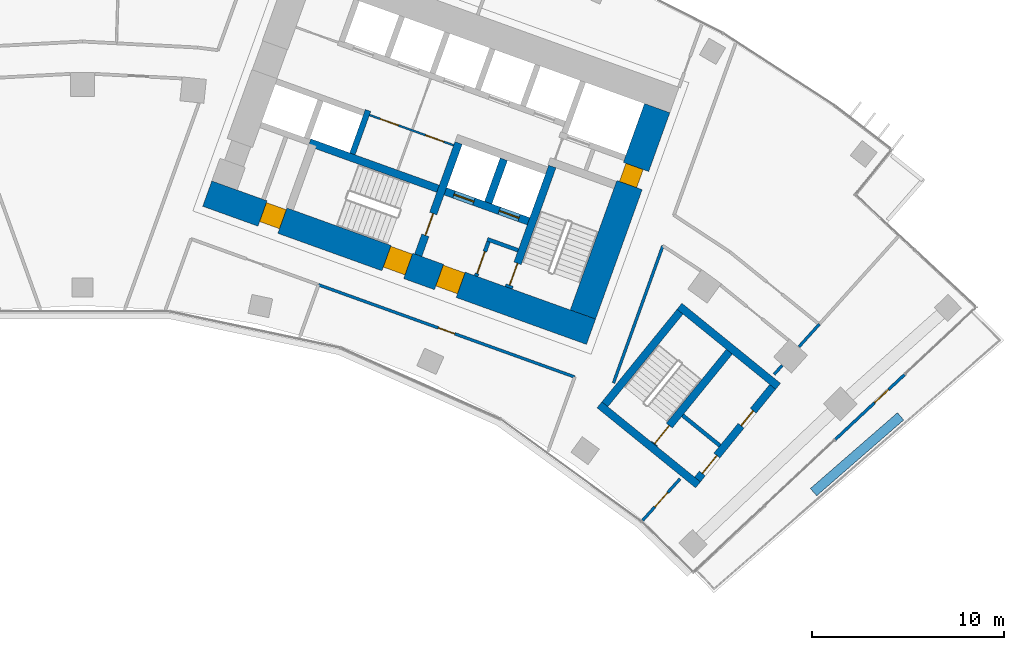
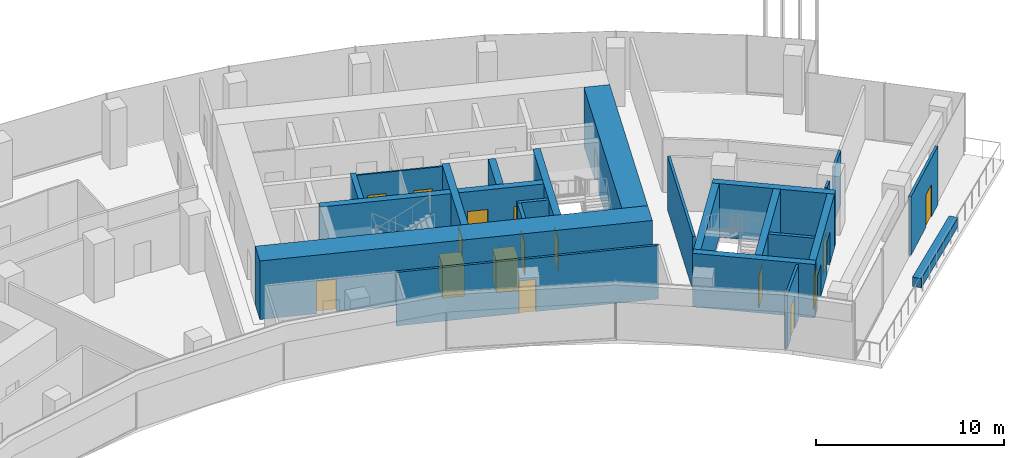
# One storey, part 16 of 20: 23 walls, 17 doors, 17 openings.
"""IFC4 building model written with IfcOpenShell, lengths in metres."""

from ifc_helpers import new_model, si_unit, direction, frame, frame_2d, origin, origin_2d, place, context, subcontext, project, spatial, rectangle, extrude, material, layer, layer_set, type_object, element, fill, save


model = new_model("IFC4")

# Units and contexts
model_context = context("Model", 3, precision=1e-05, world=origin(), true_north=direction((0.0, 1.0)))
body_context = subcontext(model_context, "Body", "Model", "MODEL_VIEW")
ifc_project = project(units=[si_unit("LENGTHUNIT", "METRE"), si_unit("AREAUNIT", "SQUARE_METRE"), si_unit("VOLUMEUNIT", "CUBIC_METRE"), si_unit("PLANEANGLEUNIT", "RADIAN"), si_unit("MASSUNIT", "GRAM", prefix="KILO")], contexts=[model_context])

# Site, building, storey
site_placement = place(None, origin())
site = spatial("IfcSite", under=ifc_project, at=site_placement, CompositionType="ELEMENT")
building_placement = place(site_placement, origin())
building = spatial("IfcBuilding", under=site, at=building_placement, Name="Stone Belt Terrace Tower", CompositionType="ELEMENT")
storey_placement = place(building_placement, frame((0.0, 0.0, 182.0)))
storey = spatial("IfcBuildingStorey", under=building, at=storey_placement, Name="L44", CompositionType="ELEMENT", Elevation=182.0)

# Wall, opening, door
ifc_material_1 = material(Name="Terracotta coloured glazed ceramic", Category="masonry")
ifc_layer_1 = layer(ifc_material_1, 0.14990234375)
ifc_layer_set_1 = layer_set([ifc_layer_1], Name="Ceramic rain-screen wall 150")
wall_type_1 = type_object("IfcWallType", Name="Ceramic rain-screen wall 150", PredefinedType="SOLIDWALL", material=ifc_layer_set_1)
wall_1_placement = place(storey_placement, frame((39.123046875, 36.53564453125, 0.0), z_axis=(0.0, 0.0, 1.0), x_axis=(0.729905447424, 0.683548123998, 0.0)))
wall_1 = element("IfcWall", 1, at=wall_1_placement, inside=storey, type_object=wall_type_1, Name="Door wall L44", PredefinedType="SOLIDWALL", context=body_context, shape_type="SweptSolid", body=[
    extrude(rectangle(XDim=4.93994140625, YDim=0.14990234375, at=frame_2d((2.469970703125, 0.0))), origin(), (0.0, 0.0, 1.0), 3.800048828125),
])
opening_1_placement = place(wall_1_placement, frame((2.800048828125, 0.0, 0.0)))
opening_1 = element("IfcOpeningElement", 2, at=opening_1_placement, cuts=wall_1, Name="Opening L44-E01", PredefinedType="OPENING", context=body_context, shape_type="SweptSolid", body=[
    extrude(rectangle(XDim=1.0, YDim=2.10009765625, at=frame_2d((0.5, 1.050048828125))), frame((0.0, 0.0849609375, 0.0), z_axis=(0.0, -1.0, 0.0), x_axis=(1.0, 0.0, 0.0)), (0.0, 0.0, 1.0), 0.169921875),
])
ifc_material_2 = material(Name="Anodised aluminium glazed door", Category="aluminium")
door_type_1 = type_object("IfcDoorType", Name="Terrace door 1000 x 2100", OperationType="NOTDEFINED", PredefinedType="DOOR", material=ifc_material_2)
door_1_placement = place(opening_1_placement, origin())
door_1 = element("IfcDoor", 3, at=door_1_placement, inside=storey, type_object=door_type_1, Name="Terrace door L44", OperationType="SINGLE_SWING_RIGHT", OverallHeight=2.10009765625, OverallWidth=1.0, PredefinedType="DOOR", context=body_context, shape_type="SweptSolid", body=[
    extrude(rectangle(XDim=1.0, YDim=2.10009765625, at=frame_2d((0.5, 1.050048828125))), frame((0.0, 0.02490234375, 0.0), z_axis=(0.0, -1.0, 0.0), x_axis=(1.0, 0.0, 0.0)), (0.0, 0.0, 1.0), 0.050048828125),
])
fill(opening_1, door_1)

# Wall, openings, doors
ifc_material_3 = material(Name="Plasterboard partition")
ifc_layer_2 = layer(ifc_material_3, 0.10009765625)
ifc_layer_set_2 = layer_set([ifc_layer_2], Name="Core partition 100")
wall_type_2 = type_object("IfcWallType", Name="Core partition 100", PredefinedType="PARTITIONING", material=ifc_layer_set_2)
wall_2_placement = place(storey_placement, frame((19.29052734375, 51.829833984375, 0.0), z_axis=(0.0, 0.0, 1.0), x_axis=(-0.940930240745, 0.338600475563, 0.0)))
wall_2 = element("IfcWall", 4, at=wall_2_placement, inside=storey, type_object=wall_type_2, Name="Core B wall", PredefinedType="PARTITIONING", context=body_context, shape_type="SweptSolid", body=[
    extrude(rectangle(XDim=4.64990234375, YDim=0.10009765625, at=frame_2d((2.324951171875, 0.0))), origin(), (0.0, 0.0, 1.0), 3.47998046875),
])
opening_2_placement = place(wall_2_placement, frame((0.550048828125, 0.0, 0.0)))
opening_2 = element("IfcOpeningElement", 5, at=opening_2_placement, cuts=wall_2, Name="Opening L44-C16", PredefinedType="OPENING", context=body_context, shape_type="SweptSolid", body=[
    extrude(rectangle(XDim=1.0, YDim=2.10009765625, at=frame_2d((0.5, 1.050048828125))), frame((0.0, 0.06005859375, 0.0), z_axis=(0.0, -1.0, 0.0), x_axis=(1.0, 0.0, 0.0)), (0.0, 0.0, 1.0), 0.1201171875),
])
opening_3_placement = place(wall_2_placement, frame((3.050048828125, 0.0, 0.0)))
opening_3 = element("IfcOpeningElement", 6, at=opening_3_placement, cuts=wall_2, Name="Opening L44-C17", PredefinedType="OPENING", context=body_context, shape_type="SweptSolid", body=[
    extrude(rectangle(XDim=1.0, YDim=2.10009765625, at=frame_2d((0.5, 1.050048828125))), frame((0.0, 0.06005859375, 0.0), z_axis=(0.0, -1.0, 0.0), x_axis=(1.0, 0.0, 0.0)), (0.0, 0.0, 1.0), 0.1201171875),
])
ifc_material_4 = material(Name="Timber door leaf", Category="wood")
door_type_2 = type_object("IfcDoorType", Name="Core room door 1000", OperationType="SINGLE_SWING_LEFT", PredefinedType="DOOR", material=ifc_material_4)
door_2_placement = place(opening_2_placement, origin())
door_2 = element("IfcDoor", 7, at=door_2_placement, inside=storey, type_object=door_type_2, Name="Door to Staff pantry core B", OperationType="SINGLE_SWING_RIGHT", OverallHeight=2.10009765625, OverallWidth=1.0, PredefinedType="DOOR", context=body_context, shape_type="SweptSolid", body=[
    extrude(rectangle(XDim=1.0, YDim=2.10009765625, at=frame_2d((0.5, 1.050048828125))), frame((0.0, 0.02490234375, 0.0), z_axis=(0.0, -1.0, 0.0), x_axis=(1.0, 0.0, 0.0)), (0.0, 0.0, 1.0), 0.050048828125),
])
fill(opening_2, door_2)
door_3_placement = place(opening_3_placement, origin())
door_3 = element("IfcDoor", 8, at=door_3_placement, inside=storey, type_object=door_type_2, Name="Door to Telecommunications room core B", OperationType="SINGLE_SWING_LEFT", OverallHeight=2.10009765625, OverallWidth=1.0, PredefinedType="DOOR", context=body_context, shape_type="SweptSolid", body=[
    extrude(rectangle(XDim=1.0, YDim=2.10009765625, at=frame_2d((0.5, 1.050048828125))), frame((0.0, 0.02490234375, 0.0), z_axis=(0.0, -1.0, 0.0), x_axis=(1.0, 0.0, 0.0)), (0.0, 0.0, 1.0), 0.050048828125),
])
fill(opening_3, door_3)

ifc_material_5 = material(Name="Concrete B80", Category="concrete")
ifc_layer_3 = layer(ifc_material_5, 1.39990234375)
ifc_layer_set_3 = layer_set([ifc_layer_3], Name="Core wall 1400 B80")
wall_type_3 = type_object("IfcWallType", Name="Core wall 1400 B80", PredefinedType="SHEAR", material=ifc_layer_set_3)
wall_3_placement = place(storey_placement, frame((6.4833984375, 49.318115234375, 0.0), z_axis=(0.0, 0.0, 1.0), x_axis=(0.940923374003, -0.33861955681, 0.0)))
wall_3 = element("IfcWall", 9, at=wall_3_placement, inside=storey, type_object=wall_type_3, Name="Core B wall concave L44", PredefinedType="SHEAR", context=body_context, shape_type="SweptSolid", body=[
    extrude(rectangle(XDim=21.199951171875, YDim=1.39990234375, at=frame_2d((10.60009765625, 0.0))), origin(), (0.0, 0.0, 1.0), 3.800048828125),
])
opening_4_placement = place(wall_3_placement, frame((12.800048828125, 0.0, 0.0)))
opening_4 = element("IfcOpeningElement", 10, at=opening_4_placement, cuts=wall_3, Name="Opening L44-C24", PredefinedType="OPENING", context=body_context, shape_type="SweptSolid", body=[
    extrude(rectangle(XDim=1.199951171875, YDim=2.10009765625, at=frame_2d((0.60009765625, 1.050048828125))), frame((0.0, 0.7099609375, 0.0), z_axis=(0.0, -1.0, 0.0), x_axis=(1.0, 0.0, 0.0)), (0.0, 0.0, 1.0), 1.419921875),
])
opening_5_placement = place(wall_3_placement, frame((9.89990234375, 0.0, 0.0)))
opening_5 = element("IfcOpeningElement", 11, at=opening_5_placement, cuts=wall_3, Name="Opening L44-C26", PredefinedType="OPENING", context=body_context, shape_type="SweptSolid", body=[
    extrude(rectangle(XDim=1.199951171875, YDim=2.10009765625, at=frame_2d((0.60009765625, 1.050048828125))), frame((0.0, 0.7099609375, 0.0), z_axis=(0.0, -1.0, 0.0), x_axis=(1.0, 0.0, 0.0)), (0.0, 0.0, 1.0), 1.419921875),
])
opening_6_placement = place(wall_3_placement, frame((3.050048828125, 0.0, 0.0)))
opening_6 = element("IfcOpeningElement", 12, at=opening_6_placement, cuts=wall_3, Name="Opening L44-C28", PredefinedType="OPENING", context=body_context, shape_type="SweptSolid", body=[
    extrude(rectangle(XDim=1.10009765625, YDim=2.10009765625, at=frame_2d((0.550048828125, 1.050048828125))), frame((0.0, 0.7099609375, 0.0), z_axis=(0.0, -1.0, 0.0), x_axis=(1.0, 0.0, 0.0)), (0.0, 0.0, 1.0), 1.419921875),
])
door_type_3 = type_object("IfcDoorType", Name="Core room door 1100", OperationType="SINGLE_SWING_LEFT", PredefinedType="DOOR", material=ifc_material_4)
door_4_placement = place(opening_6_placement, origin())
door_4 = element("IfcDoor", 13, at=door_4_placement, inside=storey, type_object=door_type_3, Name="Door to Communications riser room core B", OperationType="SINGLE_SWING_RIGHT", OverallHeight=2.10009765625, OverallWidth=1.10009765625, PredefinedType="DOOR", context=body_context, shape_type="SweptSolid", body=[
    extrude(rectangle(XDim=1.10009765625, YDim=2.10009765625, at=frame_2d((0.550048828125, 1.050048828125))), frame((0.0, 0.60498046875, 0.0), z_axis=(0.0, -1.0, 0.0), x_axis=(1.0, 0.0, 0.0)), (0.0, 0.0, 1.0), 1.050048828125),
])
fill(opening_6, door_4)
ifc_material_6 = material(Name="Steel door leaf", Category="steel")
door_type_4 = type_object("IfcDoorType", Name="Fire-fighting lobby door 1200", OperationType="SINGLE_SWING_LEFT", PredefinedType="DOOR", material=ifc_material_6)
door_5_placement = place(opening_4_placement, origin())
door_5 = element("IfcDoor", 14, at=door_5_placement, inside=storey, type_object=door_type_4, Name="Fire-fighting lobby door core B", OperationType="SINGLE_SWING_RIGHT", OverallHeight=2.10009765625, OverallWidth=1.199951171875, PredefinedType="DOOR", context=body_context, shape_type="SweptSolid", body=[
    extrude(rectangle(XDim=1.199951171875, YDim=2.10009765625, at=frame_2d((0.60009765625, 1.050048828125))), frame((0.0, 0.655029296875, 0.0), z_axis=(0.0, -1.0, 0.0), x_axis=(1.0, 0.0, 0.0)), (0.0, 0.0, 1.0), 1.14990234375),
])
fill(opening_4, door_5)
door_type_5 = type_object("IfcDoorType", Name="Stair door 1200", OperationType="SINGLE_SWING_LEFT", PredefinedType="DOOR", material=ifc_material_6)
door_6_placement = place(opening_5_placement, origin())
door_6 = element("IfcDoor", 15, at=door_6_placement, inside=storey, type_object=door_type_5, Name="Stair 2 exit door core B", OperationType="SINGLE_SWING_LEFT", OverallHeight=2.10009765625, OverallWidth=1.199951171875, PredefinedType="DOOR", context=body_context, shape_type="SweptSolid", body=[
    extrude(rectangle(XDim=1.199951171875, YDim=2.10009765625, at=frame_2d((0.60009765625, 1.050048828125))), frame((0.0, 0.655029296875, 0.0), z_axis=(0.0, -1.0, 0.0), x_axis=(1.0, 0.0, 0.0)), (0.0, 0.0, 1.0), 1.14990234375),
])
fill(opening_5, door_6)

# Wall, opening, door
wall_4_placement = place(storey_placement, frame((26.00927734375, 43.03515625, 0.0), z_axis=(0.0, 0.0, 1.0), x_axis=(0.338625431531, 0.940921259788, 0.0)))
wall_4 = element("IfcWall", 16, at=wall_4_placement, inside=storey, type_object=wall_type_3, Name="Core B wall end_b L44", PredefinedType="SHEAR", context=body_context, shape_type="SweptSolid", body=[
    extrude(rectangle(XDim=11.400146484375, YDim=1.39990234375, at=frame_2d((5.7001953125, 0.0))), origin(), (0.0, 0.0, 1.0), 3.800048828125),
])
opening_7_placement = place(wall_4_placement, frame((7.14990234375, 0.0, 0.0)))
opening_7 = element("IfcOpeningElement", 17, at=opening_7_placement, cuts=wall_4, Name="Opening L44-C18", PredefinedType="OPENING", context=body_context, shape_type="SweptSolid", body=[
    extrude(rectangle(XDim=1.0, YDim=2.10009765625, at=frame_2d((0.5, 1.050048828125))), frame((0.0, 0.7099609375, 0.0), z_axis=(0.0, -1.0, 0.0), x_axis=(1.0, 0.0, 0.0)), (0.0, 0.0, 1.0), 1.419921875),
])
door_7_placement = place(opening_7_placement, origin())
door_7 = element("IfcDoor", 18, at=door_7_placement, inside=storey, type_object=door_type_2, Name="Door to Telecommunications riser room core B", OperationType="SINGLE_SWING_LEFT", OverallHeight=2.10009765625, OverallWidth=1.0, PredefinedType="DOOR", context=body_context, shape_type="SweptSolid", body=[
    extrude(rectangle(XDim=1.0, YDim=2.10009765625, at=frame_2d((0.5, 1.050048828125))), frame((0.0, 0.55517578125, 0.0), z_axis=(0.0, -1.0, 0.0), x_axis=(1.0, 0.0, 0.0)), (0.0, 0.0, 1.0), 0.949951171875),
])
fill(opening_7, door_7)

# Walls
ifc_layer_4 = layer(ifc_material_5, 0.39990234375)
ifc_layer_set_4 = layer_set([ifc_layer_4], Name="Fire-fighting lift shaft wall 400")
wall_type_4 = type_object("IfcWallType", Name="Fire-fighting lift shaft wall 400", PredefinedType="SHEAR", material=ifc_layer_set_4)
wall_5_placement = place(storey_placement, frame((21.0859375, 48.845458984375, 0.0), z_axis=(0.0, 0.0, 1.0), x_axis=(0.338629416206, 0.940919825745, 0.0)))
element("IfcWall", 19, at=wall_5_placement, inside=storey, type_object=wall_type_4, Name="Core B wall", PredefinedType="SHEAR", context=body_context, shape_type="SweptSolid", body=[
    extrude(rectangle(XDim=2.400146484375, YDim=0.39990234375, at=frame_2d((1.2001953125, 0.0))), origin(), (0.0, 0.0, 1.0), 3.47998046875),
])
ifc_layer_5 = layer(ifc_material_5, 0.300048828125)
ifc_layer_set_5 = layer_set([ifc_layer_5], Name="Lift shaft wall 300")
wall_type_5 = type_object("IfcWallType", Name="Lift shaft wall 300", PredefinedType="SHEAR", material=ifc_layer_set_5)
wall_6_placement = place(storey_placement, frame((14.029052734375, 51.38525390625, 0.0), z_axis=(0.0, 0.0, 1.0), x_axis=(0.338661829791, 0.940908159728, 0.0)))
element("IfcWall", 20, at=wall_6_placement, inside=storey, type_object=wall_type_5, Name="Core B wall", PredefinedType="SHEAR", context=body_context, shape_type="SweptSolid", body=[
    extrude(rectangle(XDim=2.39990234375, YDim=0.300048828125, at=frame_2d((1.199951171875, 0.0))), origin(), (0.0, 0.0, 1.0), 3.47998046875),
])

# Wall, opening, door
ifc_material_7 = material(Name="Gypsum board partition")
ifc_layer_6 = layer(ifc_material_7, 0.14990234375)
ifc_layer_set_6 = layer_set([ifc_layer_6], Name="PARTITION 150 EI 60")
wall_type_6 = type_object("IfcWallType", Name="PARTITION 150 EI 60", PredefinedType="PARTITIONING", material=ifc_layer_set_6)
wall_7_placement = place(storey_placement, frame((31.054931640625, 34.489990234375, 0.0), z_axis=(0.0, 0.0, 1.0), x_axis=(-0.668923018297, -0.743331686121, 0.0)))
wall_7 = element("IfcWall", 21, at=wall_7_placement, inside=storey, type_object=wall_type_6, Name="L44/wall/i022", PredefinedType="PARTITIONING", context=body_context, shape_type="SweptSolid", body=[
    extrude(rectangle(XDim=2.910400390625, YDim=0.14990234375, at=frame_2d((1.455078125, 0.0))), origin(), (0.0, 0.0, 1.0), 3.47998046875),
])
opening_8_placement = place(wall_7_placement, frame((0.955078125, 0.0, 0.0)))
opening_8 = element("IfcOpeningElement", 22, at=opening_8_placement, cuts=wall_7, Name="Opening D-C5-16", PredefinedType="OPENING", context=body_context, shape_type="SweptSolid", body=[
    extrude(rectangle(XDim=1.0, YDim=2.10009765625, at=frame_2d((0.5, 1.050048828125))), frame((0.0, 0.0849609375, 0.0), z_axis=(0.0, -1.0, 0.0), x_axis=(1.0, 0.0, 0.0)), (0.0, 0.0, 1.0), 0.169921875),
])
ifc_material_8 = material(Name="Timber fire door leaf", Category="wood")
door_type_6 = type_object("IfcDoorType", Name="TENANCY ENTRANCE DOOR 1000 X 2100", OperationType="NOTDEFINED", PredefinedType="DOOR", material=ifc_material_8)
door_8_placement = place(opening_8_placement, origin())
door_8 = element("IfcDoor", 23, at=door_8_placement, inside=storey, type_object=door_type_6, Name="L44/door/i16", OperationType="SINGLE_SWING_RIGHT", OverallHeight=2.10009765625, OverallWidth=1.0, PredefinedType="DOOR", context=body_context, shape_type="SweptSolid", body=[
    extrude(rectangle(XDim=1.0, YDim=2.10009765625, at=frame_2d((0.5, 1.050048828125))), frame((0.0, 0.02490234375, 0.0), z_axis=(0.0, -1.0, 0.0), x_axis=(1.0, 0.0, 0.0)), (0.0, 0.0, 1.0), 0.050048828125),
])
fill(opening_8, door_8)

# Wall
wall_8_placement = place(storey_placement, frame((30.1669921875, 46.612060546875, 0.0), z_axis=(0.0, 0.0, 1.0), x_axis=(-0.338694393991, -0.940896438233, 0.0)))
element("IfcWall", 24, at=wall_8_placement, inside=storey, type_object=wall_type_6, Name="L44/wall/i023", PredefinedType="PARTITIONING", context=body_context, shape_type="SweptSolid", body=[
    extrude(rectangle(XDim=7.585205078125, YDim=0.14990234375, at=frame_2d((3.79248046875, 0.0))), origin(), (0.0, 0.0, 1.0), 3.47998046875),
])

# Wall, opening, door
wall_9_placement = place(storey_placement, frame((25.583984375, 39.787109375, 0.0), z_axis=(0.0, 0.0, 1.0), x_axis=(-0.940910050634, 0.338656576217, 0.0)))
wall_9 = element("IfcWall", 25, at=wall_9_placement, inside=storey, type_object=wall_type_6, Name="L44/wall/i026", PredefinedType="PARTITIONING", context=body_context, shape_type="SweptSolid", body=[
    extrude(rectangle(XDim=14.15869140625, YDim=0.14990234375, at=frame_2d((7.079345703125, 0.0))), origin(), (0.0, 0.0, 1.0), 3.47998046875),
])
opening_9_placement = place(wall_9_placement, frame((6.62939453125, 0.0, 0.0)))
opening_9 = element("IfcOpeningElement", 26, at=opening_9_placement, cuts=wall_9, Name="Opening D-C5-06", PredefinedType="OPENING", context=body_context, shape_type="SweptSolid", body=[
    extrude(rectangle(XDim=0.89990234375, YDim=2.10009765625, at=frame_2d((0.449951171875, 1.050048828125))), frame((0.0, 0.0849609375, 0.0), z_axis=(0.0, -1.0, 0.0), x_axis=(1.0, 0.0, 0.0)), (0.0, 0.0, 1.0), 0.169921875),
])
door_type_7 = type_object("IfcDoorType", Name="OFFICE DOOR 900 X 2100", OperationType="NOTDEFINED", PredefinedType="DOOR", material=ifc_material_4)
door_9_placement = place(opening_9_placement, origin())
door_9 = element("IfcDoor", 27, at=door_9_placement, inside=storey, type_object=door_type_7, Name="L44/door/i06", OperationType="SINGLE_SWING_RIGHT", OverallHeight=2.10009765625, OverallWidth=0.89990234375, PredefinedType="DOOR", context=body_context, shape_type="SweptSolid", body=[
    extrude(rectangle(XDim=0.89990234375, YDim=2.10009765625, at=frame_2d((0.449951171875, 1.050048828125))), frame((0.0, 0.02490234375, 0.0), z_axis=(0.0, -1.0, 0.0), x_axis=(1.0, 0.0, 0.0)), (0.0, 0.0, 1.0), 0.050048828125),
])
fill(opening_9, door_9)

# Walls
wall_10_placement = place(storey_placement, frame((37.240966796875, 41.359375, 0.0), z_axis=(0.0, 0.0, 1.0), x_axis=(0.669093166642, 0.743178534642, 0.0)))
element("IfcWall", 28, at=wall_10_placement, inside=storey, type_object=wall_type_6, Name="L44/wall/i051", PredefinedType="PARTITIONING", context=body_context, shape_type="SweptSolid", body=[
    extrude(rectangle(XDim=1.5751953125, YDim=0.14990234375, at=frame_2d((0.78759765625, 0.0))), origin(), (0.0, 0.0, 1.0), 3.47998046875),
])
wall_11_placement = place(storey_placement, frame((35.946044921875, 39.922119140625, 0.0), z_axis=(0.0, 0.0, 1.0), x_axis=(0.669396665823, 0.742905178192, 0.0)))
element("IfcWall", 29, at=wall_11_placement, inside=storey, type_object=wall_type_6, Name="L44/wall/i052", PredefinedType="PARTITIONING", context=body_context, shape_type="SweptSolid", body=[
    extrude(rectangle(XDim=0.62451171875, YDim=0.14990234375, at=frame_2d((0.312255859375, 0.0))), origin(), (0.0, 0.0, 1.0), 3.47998046875),
])
ifc_material_9 = material(Name="Precast concrete C40/50", Category="concrete")
ifc_layer_7 = layer(ifc_material_9, 0.5)
ifc_layer_set_7 = layer_set([ifc_layer_7], Name="Planter box 500 x 600")
wall_type_7 = type_object("IfcWallType", Name="Planter box 500 x 600", PredefinedType="SOLIDWALL", material=ifc_layer_set_7)
wall_12_placement = place(storey_placement, frame((40.258056640625, 35.772216796875, 0.0), z_axis=(0.0, 0.0, 1.0), x_axis=(0.754272557058, 0.65656142871, 0.0)))
element("IfcWall", 30, at=wall_12_placement, inside=storey, type_object=wall_type_7, Name="PLANTER L44 1", PredefinedType="SOLIDWALL", context=body_context, shape_type="SweptSolid", body=[
    extrude(rectangle(XDim=6.0, YDim=0.5, at=origin_2d()), origin(), (0.0, 0.0, 1.0), 0.60009765625),
])
ifc_material_10 = material(Name="Concrete masonry block", Category="masonry")
ifc_layer_8 = layer(ifc_material_10, 0.199951171875)
ifc_layer_set_8 = layer_set([ifc_layer_8], Name="Rated lobby wall 200")
wall_type_8 = type_object("IfcWallType", Name="Rated lobby wall 200", PredefinedType="PARTITIONING", material=ifc_layer_set_8)
wall_13_placement = place(storey_placement, frame((22.640625, 46.373046875, 0.0), z_axis=(0.0, 0.0, 1.0), x_axis=(-0.940966110313, 0.338500781747, 0.0)))
element("IfcWall", 31, at=wall_13_placement, inside=storey, type_object=wall_type_8, Name="Core B wall", PredefinedType="PARTITIONING", context=body_context, shape_type="SweptSolid", body=[
    extrude(rectangle(XDim=1.699951171875, YDim=0.199951171875, at=frame_2d((0.85009765625, 0.0))), origin(), (0.0, 0.0, 1.0), 3.47998046875),
])

# Wall, opening, door
wall_14_placement = place(storey_placement, frame((20.4580078125, 45.032958984375, 0.0), z_axis=(0.0, 0.0, 1.0), x_axis=(0.338573865316, 0.940939816208, 0.0)))
wall_14 = element("IfcWall", 32, at=wall_14_placement, inside=storey, type_object=wall_type_8, Name="Core B wall", PredefinedType="PARTITIONING", context=body_context, shape_type="SweptSolid", body=[
    extrude(rectangle(XDim=1.900146484375, YDim=0.199951171875, at=frame_2d((0.9501953125, 0.0))), origin(), (0.0, 0.0, 1.0), 3.47998046875),
])
opening_10_placement = place(wall_14_placement, frame((0.14990234375, 0.0, 0.0)))
opening_10 = element("IfcOpeningElement", 33, at=opening_10_placement, cuts=wall_14, Name="Opening L44-C23", PredefinedType="OPENING", context=body_context, shape_type="SweptSolid", body=[
    extrude(rectangle(XDim=1.199951171875, YDim=2.10009765625, at=frame_2d((0.60009765625, 1.050048828125))), frame((0.0, 0.10986328125, 0.0), z_axis=(0.0, -1.0, 0.0), x_axis=(1.0, 0.0, 0.0)), (0.0, 0.0, 1.0), 0.219970703125),
])
door_10_placement = place(opening_10_placement, origin())
door_10 = element("IfcDoor", 34, at=door_10_placement, inside=storey, type_object=door_type_5, Name="Stair airlock door core B", OperationType="SINGLE_SWING_RIGHT", OverallHeight=2.10009765625, OverallWidth=1.199951171875, PredefinedType="DOOR", context=body_context, shape_type="SweptSolid", body=[
    extrude(rectangle(XDim=1.199951171875, YDim=2.10009765625, at=frame_2d((0.60009765625, 1.050048828125))), frame((0.0, 0.02490234375, 0.0), z_axis=(0.0, -1.0, 0.0), x_axis=(1.0, 0.0, 0.0)), (0.0, 0.0, 1.0), 0.050048828125),
])
fill(opening_10, door_10)

# Wall
wall_15_placement = place(storey_placement, frame((31.190673828125, 37.79296875, 0.0), z_axis=(0.0, 0.0, 1.0), x_axis=(0.776370830301, -0.630276394813, 0.0)))
element("IfcWall", 35, at=wall_15_placement, inside=storey, type_object=wall_type_8, Name="Exit stair ST3B wall", PredefinedType="PARTITIONING", context=body_context, shape_type="SweptSolid", body=[
    extrude(rectangle(XDim=2.5, YDim=0.199951171875, at=frame_2d((1.25, 0.0))), origin(), (0.0, 0.0, 1.0), 3.47998046875),
])

# Wall, opening, door
ifc_layer_9 = layer(ifc_material_5, 0.39990234375)
ifc_layer_set_9 = layer_set([ifc_layer_9], Name="Stair enclosure wall 400")
wall_type_9 = type_object("IfcWallType", Name="Stair enclosure wall 400", PredefinedType="SHEAR", material=ifc_layer_set_9)
wall_16_placement = place(storey_placement, frame((22.151611328125, 44.42333984375, 0.0), z_axis=(0.0, 0.0, 1.0), x_axis=(0.338625272931, 0.940921316866, 0.0)))
wall_16 = element("IfcWall", 36, at=wall_16_placement, inside=storey, type_object=wall_type_9, Name="Core B wall", PredefinedType="SHEAR", context=body_context, shape_type="SweptSolid", body=[
    extrude(rectangle(XDim=6.699951171875, YDim=0.39990234375, at=frame_2d((3.35009765625, 0.0))), origin(), (0.0, 0.0, 1.0), 3.47998046875),
])
opening_11_placement = place(wall_16_placement, frame((0.14990234375, 0.0, 0.0)))
opening_11 = element("IfcOpeningElement", 37, at=opening_11_placement, cuts=wall_16, Name="Opening L44-C22", PredefinedType="OPENING", context=body_context, shape_type="SweptSolid", body=[
    extrude(rectangle(XDim=1.199951171875, YDim=2.10009765625, at=frame_2d((0.60009765625, 1.050048828125))), frame((0.0, 0.2099609375, 0.0), z_axis=(0.0, -1.0, 0.0), x_axis=(1.0, 0.0, 0.0)), (0.0, 0.0, 1.0), 0.419921875),
])
door_11_placement = place(opening_11_placement, origin())
door_11 = element("IfcDoor", 38, at=door_11_placement, inside=storey, type_object=door_type_5, Name="Stair 1 door core B", OperationType="SINGLE_SWING_RIGHT", OverallHeight=2.10009765625, OverallWidth=1.199951171875, PredefinedType="DOOR", context=body_context, shape_type="SweptSolid", body=[
    extrude(rectangle(XDim=1.199951171875, YDim=2.10009765625, at=frame_2d((0.60009765625, 1.050048828125))), frame((0.0, 0.02490234375, 0.0), z_axis=(0.0, -1.0, 0.0), x_axis=(1.0, 0.0, 0.0)), (0.0, 0.0, 1.0), 0.050048828125),
])
fill(opening_11, door_11)

# Wall, openings, doors
wall_17_placement = place(storey_placement, frame((23.182373046875, 47.87841796875, 0.0), z_axis=(0.0, 0.0, 1.0), x_axis=(-0.940921101762, 0.338625870628, 0.0)))
wall_17 = element("IfcWall", 39, at=wall_17_placement, inside=storey, type_object=wall_type_9, Name="Core B wall", PredefinedType="SHEAR", context=body_context, shape_type="SweptSolid", body=[
    extrude(rectangle(XDim=12.10009765625, YDim=0.39990234375, at=frame_2d((6.050048828125, 0.0))), origin(), (0.0, 0.0, 1.0), 3.47998046875),
])
opening_12_placement = place(wall_17_placement, frame((0.52001953125, 0.0, 0.0)))
opening_12 = element("IfcOpeningElement", 40, at=opening_12_placement, cuts=wall_17, Name="Opening L44-LD14", PredefinedType="OPENING", context=body_context, shape_type="SweptSolid", body=[
    extrude(rectangle(XDim=1.10009765625, YDim=2.199951171875, at=frame_2d((0.550048828125, 1.10009765625))), frame((0.0, 0.2099609375, 0.0), z_axis=(0.0, -1.0, 0.0), x_axis=(1.0, 0.0, 0.0)), (0.0, 0.0, 1.0), 0.419921875),
])
opening_13_placement = place(wall_17_placement, frame((3.02001953125, 0.0, 0.0)))
opening_13 = element("IfcOpeningElement", 41, at=opening_13_placement, cuts=wall_17, Name="Opening L44-LD15", PredefinedType="OPENING", context=body_context, shape_type="SweptSolid", body=[
    extrude(rectangle(XDim=1.10009765625, YDim=2.199951171875, at=frame_2d((0.550048828125, 1.10009765625))), frame((0.0, 0.2099609375, 0.0), z_axis=(0.0, -1.0, 0.0), x_axis=(1.0, 0.0, 0.0)), (0.0, 0.0, 1.0), 0.419921875),
])
ifc_material_11 = material(Name="Stainless steel door leaf", Category="steel")
door_type_8 = type_object("IfcDoorType", Name="Landing door 1100", OperationType="SLIDING_TO_LEFT", PredefinedType="DOOR", material=ifc_material_11)
door_12_placement = place(opening_12_placement, origin())
door_12 = element("IfcDoor", 42, at=door_12_placement, inside=storey, type_object=door_type_8, Name="Landing door FF1 core B", OperationType="SLIDING_TO_LEFT", OverallHeight=2.199951171875, OverallWidth=1.10009765625, PredefinedType="DOOR", context=body_context, shape_type="SweptSolid", body=[
    extrude(rectangle(XDim=1.10009765625, YDim=2.199951171875, at=frame_2d((0.550048828125, 1.10009765625))), frame((0.0, 0.02490234375, 0.0), z_axis=(0.0, -1.0, 0.0), x_axis=(1.0, 0.0, 0.0)), (0.0, 0.0, 1.0), 0.050048828125),
])
fill(opening_12, door_12)
door_13_placement = place(opening_13_placement, origin())
door_13 = element("IfcDoor", 43, at=door_13_placement, inside=storey, type_object=door_type_8, Name="Landing door FF2 core B", OperationType="SLIDING_TO_LEFT", OverallHeight=2.199951171875, OverallWidth=1.10009765625, PredefinedType="DOOR", context=body_context, shape_type="SweptSolid", body=[
    extrude(rectangle(XDim=1.10009765625, YDim=2.199951171875, at=frame_2d((0.550048828125, 1.10009765625))), frame((0.0, 0.02490234375, 0.0), z_axis=(0.0, -1.0, 0.0), x_axis=(1.0, 0.0, 0.0)), (0.0, 0.0, 1.0), 0.050048828125),
])
fill(opening_13, door_13)

# Wall, opening, door
wall_18_placement = place(storey_placement, frame((17.447021484375, 46.116455078125, 0.0), z_axis=(0.0, 0.0, 1.0), x_axis=(0.33860791464, 0.940927563707, 0.0)))
wall_18 = element("IfcWall", 44, at=wall_18_placement, inside=storey, type_object=wall_type_9, Name="Core B wall", PredefinedType="SHEAR", context=body_context, shape_type="SweptSolid", body=[
    extrude(rectangle(XDim=6.199951171875, YDim=0.39990234375, at=frame_2d((3.10009765625, 0.0))), origin(), (0.0, 0.0, 1.0), 3.47998046875),
])
opening_14_placement = place(wall_18_placement, frame((1.10009765625, 0.0, 0.0)))
opening_14 = element("IfcOpeningElement", 45, at=opening_14_placement, cuts=wall_18, Name="Opening L44-C25", PredefinedType="OPENING", context=body_context, shape_type="SweptSolid", body=[
    extrude(rectangle(XDim=1.199951171875, YDim=2.10009765625, at=frame_2d((0.60009765625, 1.050048828125))), frame((0.0, 0.2099609375, 0.0), z_axis=(0.0, -1.0, 0.0), x_axis=(1.0, 0.0, 0.0)), (0.0, 0.0, 1.0), 0.419921875),
])
door_14_placement = place(opening_14_placement, origin())
door_14 = element("IfcDoor", 46, at=door_14_placement, inside=storey, type_object=door_type_5, Name="Stair 2 door core B", OperationType="SINGLE_SWING_RIGHT", OverallHeight=2.10009765625, OverallWidth=1.199951171875, PredefinedType="DOOR", context=body_context, shape_type="SweptSolid", body=[
    extrude(rectangle(XDim=1.199951171875, YDim=2.10009765625, at=frame_2d((0.60009765625, 1.050048828125))), frame((0.0, 0.02490234375, 0.0), z_axis=(0.0, -1.0, 0.0), x_axis=(1.0, 0.0, 0.0)), (0.0, 0.0, 1.0), 0.050048828125),
])
fill(opening_14, door_14)

# Walls
wall_19_placement = place(storey_placement, frame((26.868408203125, 38.3388671875, 0.0), z_axis=(0.0, 0.0, 1.0), x_axis=(0.776428452498, -0.630205409491, 0.0)))
element("IfcWall", 47, at=wall_19_placement, inside=storey, type_object=wall_type_9, Name="Exit stair ST3B wall", PredefinedType="SHEAR", context=body_context, shape_type="SweptSolid", body=[
    extrude(rectangle(XDim=6.60009765625, YDim=0.39990234375, at=frame_2d((3.300048828125, 0.0))), origin(), (0.0, 0.0, 1.0), 3.47998046875),
])
wall_20_placement = place(storey_placement, frame((31.02783203125, 43.46337890625, 0.0), z_axis=(0.0, 0.0, 1.0), x_axis=(0.776413760801, -0.630223509589, 0.0)))
element("IfcWall", 48, at=wall_20_placement, inside=storey, type_object=wall_type_9, Name="Exit stair ST3B wall", PredefinedType="SHEAR", context=body_context, shape_type="SweptSolid", body=[
    extrude(rectangle(XDim=6.599853515625, YDim=0.39990234375, at=frame_2d((3.2998046875, 0.0))), origin(), (0.0, 0.0, 1.0), 3.47998046875),
])
wall_21_placement = place(storey_placement, frame((27.149658203125, 38.3681640625, 0.0), z_axis=(0.0, 0.0, 1.0), x_axis=(0.630211551729, 0.776423466973, 0.0)))
element("IfcWall", 49, at=wall_21_placement, inside=storey, type_object=wall_type_9, Name="Exit stair ST3B wall", PredefinedType="SHEAR", context=body_context, shape_type="SweptSolid", body=[
    extrude(rectangle(XDim=6.199951171875, YDim=0.39990234375, at=frame_2d((3.10009765625, 0.0))), origin(), (0.0, 0.0, 1.0), 3.47998046875),
])

# Wall, openings, doors
wall_22_placement = place(storey_placement, frame((31.963623046875, 34.460693359375, 0.0), z_axis=(0.0, 0.0, 1.0), x_axis=(0.630192283849, 0.776439106033, 0.0)))
wall_22 = element("IfcWall", 50, at=wall_22_placement, inside=storey, type_object=wall_type_9, Name="Exit stair ST3B wall", PredefinedType="SHEAR", context=body_context, shape_type="SweptSolid", body=[
    extrude(rectangle(XDim=6.199951171875, YDim=0.39990234375, at=frame_2d((3.10009765625, 0.0))), origin(), (0.0, 0.0, 1.0), 3.47998046875),
])
opening_15_placement = place(wall_22_placement, frame((0.39990234375, 0.0, 0.0)))
opening_15 = element("IfcOpeningElement", 51, at=opening_15_placement, cuts=wall_22, Name="Opening L44-C33", PredefinedType="OPENING", context=body_context, shape_type="SweptSolid", body=[
    extrude(rectangle(XDim=1.199951171875, YDim=2.10009765625, at=frame_2d((0.60009765625, 1.050048828125))), frame((0.0, 0.2099609375, 0.0), z_axis=(0.0, -1.0, 0.0), x_axis=(1.0, 0.0, 0.0)), (0.0, 0.0, 1.0), 0.419921875),
])
opening_16_placement = place(wall_22_placement, frame((3.60009765625, 0.0, 0.0)))
opening_16 = element("IfcOpeningElement", 52, at=opening_16_placement, cuts=wall_22, Name="Opening L44-C34", PredefinedType="OPENING", context=body_context, shape_type="SweptSolid", body=[
    extrude(rectangle(XDim=1.0, YDim=2.10009765625, at=frame_2d((0.5, 1.050048828125))), frame((0.0, 0.2099609375, 0.0), z_axis=(0.0, -1.0, 0.0), x_axis=(1.0, 0.0, 0.0)), (0.0, 0.0, 1.0), 0.419921875),
])
door_15_placement = place(opening_16_placement, origin())
door_15 = element("IfcDoor", 53, at=door_15_placement, inside=storey, type_object=door_type_2, Name="Door to stair pressurisation plant room ST3B", OperationType="SINGLE_SWING_LEFT", OverallHeight=2.10009765625, OverallWidth=1.0, PredefinedType="DOOR", context=body_context, shape_type="SweptSolid", body=[
    extrude(rectangle(XDim=1.0, YDim=2.10009765625, at=frame_2d((0.5, 1.050048828125))), frame((0.0, 0.02490234375, 0.0), z_axis=(0.0, -1.0, 0.0), x_axis=(1.0, 0.0, 0.0)), (0.0, 0.0, 1.0), 0.050048828125),
])
fill(opening_16, door_15)
door_type_9 = type_object("IfcDoorType", Name="Stair airlock door 1200", OperationType="SINGLE_SWING_LEFT", PredefinedType="DOOR", material=ifc_material_6)
door_16_placement = place(opening_15_placement, origin())
door_16 = element("IfcDoor", 54, at=door_16_placement, inside=storey, type_object=door_type_9, Name="Stair airlock door ST3B", OperationType="SINGLE_SWING_LEFT", OverallHeight=2.10009765625, OverallWidth=1.199951171875, PredefinedType="DOOR", context=body_context, shape_type="SweptSolid", body=[
    extrude(rectangle(XDim=1.199951171875, YDim=2.10009765625, at=frame_2d((0.60009765625, 1.050048828125))), frame((0.0, 0.02490234375, 0.0), z_axis=(0.0, -1.0, 0.0), x_axis=(1.0, 0.0, 0.0)), (0.0, 0.0, 1.0), 0.050048828125),
])
fill(opening_15, door_16)

# Wall, opening, door
wall_23_placement = place(storey_placement, frame((29.7119140625, 36.288330078125, 0.0), z_axis=(0.0, 0.0, 1.0), x_axis=(0.630192283849, 0.776439106033, 0.0)))
wall_23 = element("IfcWall", 55, at=wall_23_placement, inside=storey, type_object=wall_type_9, Name="Exit stair ST3B wall", PredefinedType="SHEAR", context=body_context, shape_type="SweptSolid", body=[
    extrude(rectangle(XDim=6.199951171875, YDim=0.39990234375, at=frame_2d((3.10009765625, 0.0))), origin(), (0.0, 0.0, 1.0), 3.47998046875),
])
opening_17_placement = place(wall_23_placement, frame((0.050048828125, 0.0, 0.0)))
opening_17 = element("IfcOpeningElement", 56, at=opening_17_placement, cuts=wall_23, Name="Opening L44-C32", PredefinedType="OPENING", context=body_context, shape_type="SweptSolid", body=[
    extrude(rectangle(XDim=1.199951171875, YDim=2.10009765625, at=frame_2d((0.60009765625, 1.050048828125))), frame((0.0, 0.2099609375, 0.0), z_axis=(0.0, -1.0, 0.0), x_axis=(1.0, 0.0, 0.0)), (0.0, 0.0, 1.0), 0.419921875),
])
door_17_placement = place(opening_17_placement, origin())
door_17 = element("IfcDoor", 57, at=door_17_placement, inside=storey, type_object=door_type_5, Name="Stair door ST3B", OperationType="SINGLE_SWING_RIGHT", OverallHeight=2.10009765625, OverallWidth=1.199951171875, PredefinedType="DOOR", context=body_context, shape_type="SweptSolid", body=[
    extrude(rectangle(XDim=1.199951171875, YDim=2.10009765625, at=frame_2d((0.60009765625, 1.050048828125))), frame((0.0, 0.02490234375, 0.0), z_axis=(0.0, -1.0, 0.0), x_axis=(1.0, 0.0, 0.0)), (0.0, 0.0, 1.0), 0.050048828125),
])
fill(opening_17, door_17)

save(model, "model.ifc")
